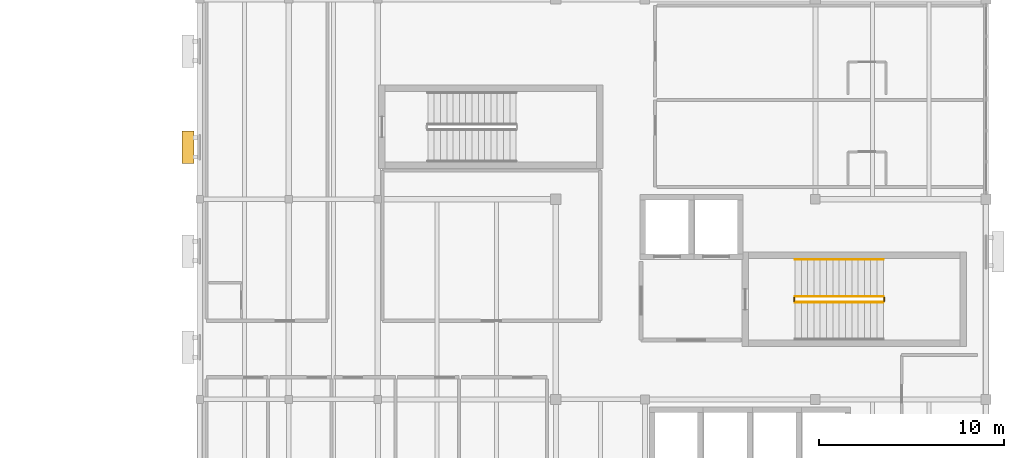
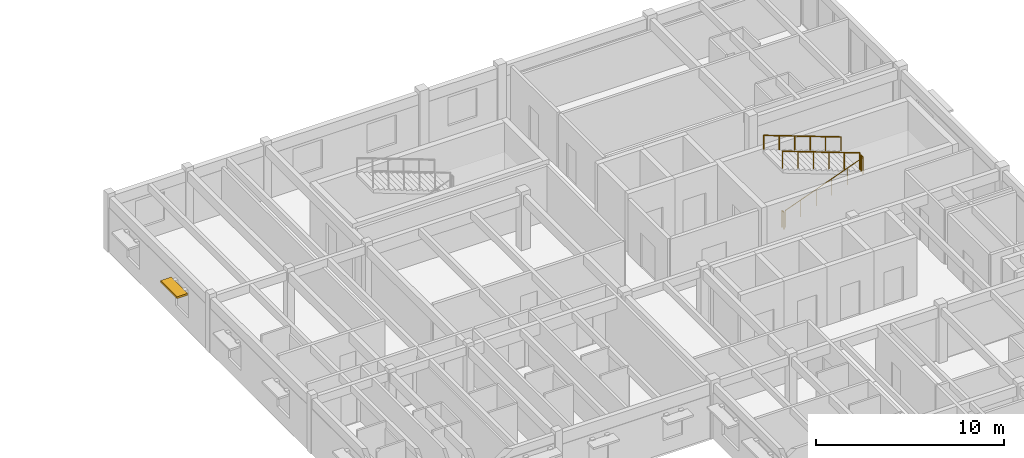
# One storey, part 29 of 31: 5 railings, 1 shading device.
"""IFC4 building model written with IfcOpenShell, lengths in metres."""

from ifc_helpers import new_model, si_unit, direction, frame, origin, origin_2d, place, context, subcontext, project, spatial, rectangle, circle, extrude, material, type_object, element, save


model = new_model("IFC4")

# Units and contexts
model_context = context("Model", 3, precision=1e-05, world=origin(), true_north=direction((0.0, 1.0)))
body_context = subcontext(model_context, "Body", "Model", "MODEL_VIEW")
ifc_project = project(units=[si_unit("LENGTHUNIT", "METRE"), si_unit("AREAUNIT", "SQUARE_METRE"), si_unit("VOLUMEUNIT", "CUBIC_METRE"), si_unit("PLANEANGLEUNIT", "RADIAN"), si_unit("MASSUNIT", "GRAM", prefix="KILO")], contexts=[model_context])

# Site, building, storey
site_placement = place(None, origin())
site = spatial("IfcSite", under=ifc_project, at=site_placement, CompositionType="ELEMENT")
building_placement = place(site_placement, origin())
building = spatial("IfcBuilding", under=site, at=building_placement, Name="Veldera Park Congress Hotel", CompositionType="ELEMENT")
storey_placement = place(building_placement, frame((0.0, 0.0, 20.0)))
storey = spatial("IfcBuildingStorey", under=building, at=storey_placement, Name="L04", CompositionType="ELEMENT", Elevation=20.0)

# Railings
ifc_material_1 = material(Name="Steel ASTM A992 Gr.50", Category="steel")
railing_type_1 = type_object("IfcRailingType", Name="GRD-ST110", PredefinedType="GUARDRAIL", material=ifc_material_1)
railing_1_placement = place(storey_placement, frame((73.699951171875, 41.64990234375, 0.126708984375)))
element("IfcRailing", 1, at=railing_1_placement, inside=storey, type_object=railing_type_1, Name="L04 ST1 stair guard 1", PredefinedType="GUARDRAIL", context=body_context, shape_type="SweptSolid", body=[
    extrude(circle(Radius=0.02392578125, at=origin_2d()), frame((0.0, 0.0, 1.076171875), z_axis=(0.937091363699, 0.0, 0.349084196263), x_axis=(0.0, 1.0, 0.0)), (0.0, 0.0, 1.0), 5.07958984375),
    extrude(circle(Radius=0.02099609375, at=origin_2d()), origin(), (0.0, 0.0, 1.0), 1.052001953125),
    extrude(circle(Radius=0.02099609375, at=origin_2d()), frame((0.951904296875, 0.0, 0.354736328125)), (0.0, 0.0, 1.0), 1.052001953125),
    extrude(circle(Radius=0.02099609375, at=origin_2d()), frame((1.904052734375, 0.0, 0.709228515625)), (0.0, 0.0, 1.0), 1.052001953125),
    extrude(circle(Radius=0.02099609375, at=origin_2d()), frame((2.85595703125, 0.0, 1.06396484375)), (0.0, 0.0, 1.0), 1.052001953125),
    extrude(circle(Radius=0.02099609375, at=origin_2d()), frame((3.80810546875, 0.0, 1.41845703125)), (0.0, 0.0, 1.0), 1.052001953125),
    extrude(circle(Radius=0.02099609375, at=origin_2d()), frame((4.760009765625, 0.0, 1.773193359375)), (0.0, 0.0, 1.0), 1.052001953125),
])
railing_2_placement = place(storey_placement, frame((78.510009765625, 41.699951171875, 1.89990234375)))
element("IfcRailing", 2, at=railing_2_placement, inside=storey, type_object=railing_type_1, Name="L04 ST1 stair guard 2", PredefinedType="GUARDRAIL", context=body_context, shape_type="SweptSolid", body=[
    extrude(circle(Radius=0.02392578125, at=origin_2d()), frame((0.0, 0.0, 1.076171875), z_axis=(0.0, 1.0, 0.0), x_axis=(-1.0, 0.0, 0.0)), (0.0, 0.0, 1.0), 0.199951171875),
    extrude(circle(Radius=0.02099609375, at=origin_2d()), origin(), (0.0, 0.0, 1.0), 1.052001953125),
    extrude(circle(Radius=0.02099609375, at=origin_2d()), frame((0.0, 0.199951171875, 0.0)), (0.0, 0.0, 1.0), 1.052001953125),
])
railing_3_placement = place(storey_placement, frame((78.4599609375, 41.949951171875, 2.026611328125)))
element("IfcRailing", 3, at=railing_3_placement, inside=storey, type_object=railing_type_1, Name="L04 ST1 stair guard 3", PredefinedType="GUARDRAIL", context=body_context, shape_type="SweptSolid", body=[
    extrude(circle(Radius=0.02392578125, at=origin_2d()), frame((0.0, 0.0, 1.076171875), z_axis=(-0.937075640343, 0.0, 0.349126401572), x_axis=(0.0, -1.0, 0.0)), (0.0, 0.0, 1.0), 5.07958984375),
    extrude(circle(Radius=0.02099609375, at=origin_2d()), origin(), (0.0, 0.0, 1.0), 1.052001953125),
    extrude(circle(Radius=0.02099609375, at=origin_2d()), frame((-0.951904296875, 0.0, 0.354736328125)), (0.0, 0.0, 1.0), 1.052001953125),
    extrude(circle(Radius=0.02099609375, at=origin_2d()), frame((-1.904052734375, 0.0, 0.70947265625)), (0.0, 0.0, 1.0), 1.052001953125),
    extrude(circle(Radius=0.02099609375, at=origin_2d()), frame((-2.85595703125, 0.0, 1.06396484375)), (0.0, 0.0, 1.0), 1.052001953125),
    extrude(circle(Radius=0.02099609375, at=origin_2d()), frame((-3.80810546875, 0.0, 1.418701171875)), (0.0, 0.0, 1.0), 1.052001953125),
    extrude(circle(Radius=0.02099609375, at=origin_2d()), frame((-4.760009765625, 0.0, 1.7734375)), (0.0, 0.0, 1.0), 1.052001953125),
])
railing_4_placement = place(storey_placement, frame((73.64990234375, 41.699951171875, 0.0)))
element("IfcRailing", 4, at=railing_4_placement, inside=storey, type_object=railing_type_1, Name="L04 ST1 stair guard 4", PredefinedType="GUARDRAIL", context=body_context, shape_type="SweptSolid", body=[
    extrude(circle(Radius=0.02392578125, at=origin_2d()), frame((0.0, 0.0, 1.076171875), z_axis=(0.0, 1.0, 0.0), x_axis=(-1.0, 0.0, 0.0)), (0.0, 0.0, 1.0), 0.199951171875),
    extrude(circle(Radius=0.02099609375, at=origin_2d()), origin(), (0.0, 0.0, 1.0), 1.052001953125),
    extrude(circle(Radius=0.02099609375, at=origin_2d()), frame((0.0, 0.199951171875, 0.0)), (0.0, 0.0, 1.0), 1.052001953125),
])
railing_type_2 = type_object("IfcRailingType", Name="HRL-920", PredefinedType="HANDRAIL", material=ifc_material_1)
railing_5_placement = place(storey_placement, frame((78.4599609375, 43.949951171875, 2.026611328125)))
element("IfcRailing", 5, at=railing_5_placement, inside=storey, type_object=railing_type_2, Name="L04 ST1 stair handrail 2", PredefinedType="HANDRAIL", context=body_context, shape_type="SweptSolid", body=[
    extrude(circle(Radius=0.02392578125, at=origin_2d()), frame((0.0, 0.0, 0.89599609375), z_axis=(-0.937075640343, 0.0, 0.349126401572), x_axis=(0.0, -1.0, 0.0)), (0.0, 0.0, 1.0), 5.07958984375),
    extrude(circle(Radius=0.02099609375, at=origin_2d()), origin(), (0.0, 0.0, 1.0), 0.871826171875),
    extrude(circle(Radius=0.02099609375, at=origin_2d()), frame((-0.951904296875, 0.0, 0.354736328125)), (0.0, 0.0, 1.0), 0.871826171875),
    extrude(circle(Radius=0.02099609375, at=origin_2d()), frame((-1.904052734375, 0.0, 0.70947265625)), (0.0, 0.0, 1.0), 0.871826171875),
    extrude(circle(Radius=0.02099609375, at=origin_2d()), frame((-2.85595703125, 0.0, 1.06396484375)), (0.0, 0.0, 1.0), 0.871826171875),
    extrude(circle(Radius=0.02099609375, at=origin_2d()), frame((-3.80810546875, 0.0, 1.418701171875)), (0.0, 0.0, 1.0), 0.871826171875),
    extrude(circle(Radius=0.02099609375, at=origin_2d()), frame((-4.760009765625, 0.0, 1.7734375)), (0.0, 0.0, 1.0), 0.871826171875),
])

# Shading device
ifc_material_2 = material(Name="Glulam GL28h (NDS 24F-V4)", Category="wood")
shading_device_type = type_object("IfcShadingDeviceType", Name="SHD-LVR300", PredefinedType="JALOUSIE", material=ifc_material_2)
shading_device_placement = place(storey_placement, frame((40.955078125, 50.000244140625, 2.52001953125), z_axis=(0.0, 0.0, 1.0), x_axis=(0.0, -1.0, 0.0)))
element("IfcShadingDevice", 6, at=shading_device_placement, inside=storey, type_object=shading_device_type, Name="Glulam Solar Shade 149", PredefinedType="JALOUSIE", context=body_context, shape_type="SweptSolid", body=[
    extrude(rectangle(XDim=1.75, YDim=0.64990234375, at=origin_2d()), origin(), (0.0, 0.0, 1.0), 0.1201171875),
])

save(model, "model.ifc")
